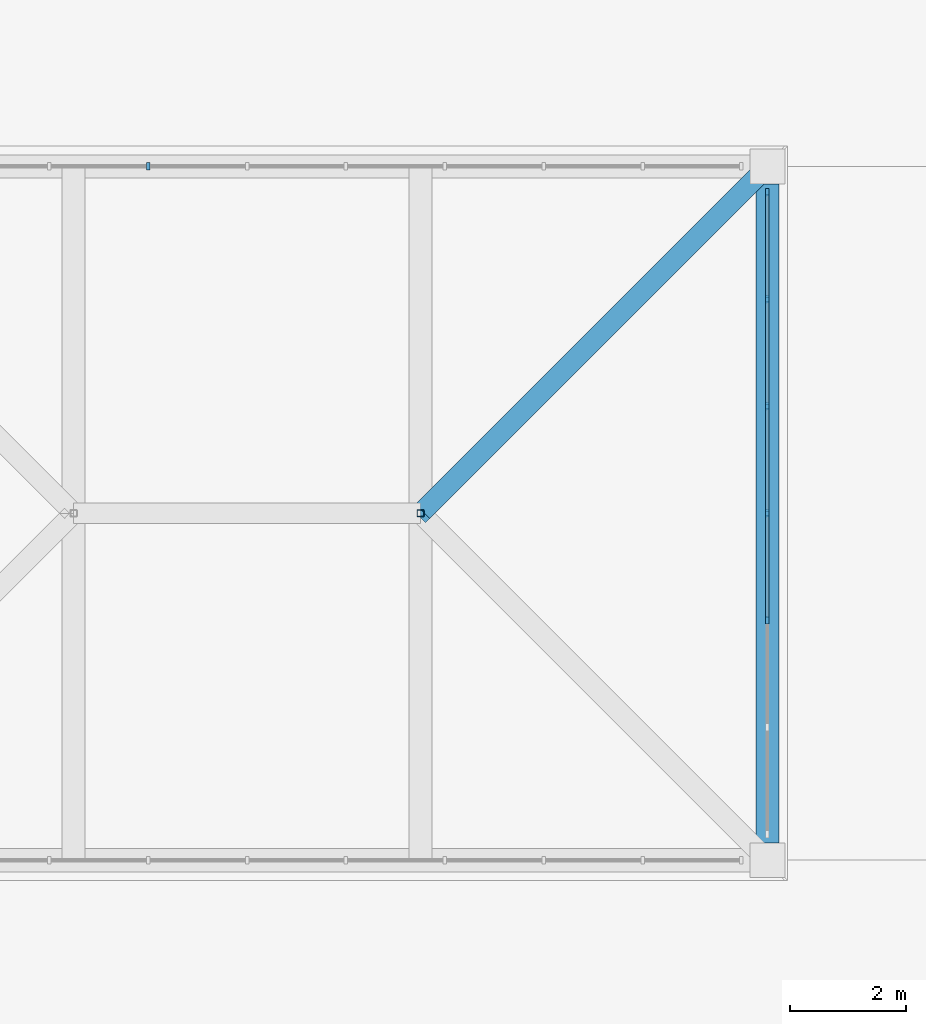
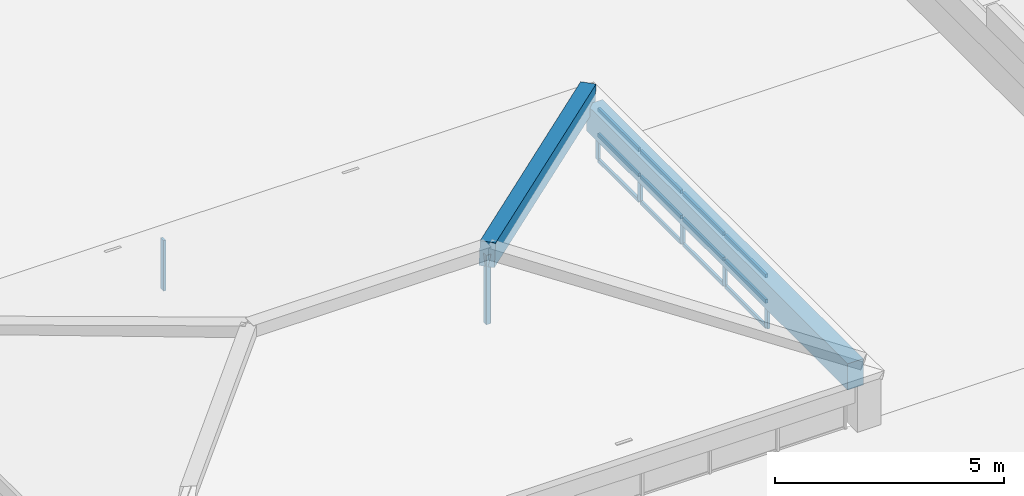
# One storey, part 38 of 56: 19 members, 2 beams, 2 elements without a shape of their own.
"""IFC4 building model written with IfcOpenShell, lengths in metres."""

import ifcopenshell
import ifcopenshell.guid

model = None  # the IFC model being written
_history = None  # IfcOwnerHistory: only IFC2X3 demands one
_inside = {}  # id of a spatial element -> (the spatial element, [elements in it])
_under = {}  # id of a project, library or spatial element -> (it, [spatial elements below it])
_declared = {}  # id of a project -> (the project, [libraries it declares])
_typed = {}  # id of a type object -> (the type object, [elements of that type])
_made_of = {}  # id of a material, layer set ... -> (it, [elements and type objects made of it])


def new_model(schema):
    """Start an empty IFC model of exactly this schema.

    Asked for "IFC4X3", IfcOpenShell would pick the latest addendum, in which some entities
    have other attributes; the version numbers below select the first issue.
    IFC2X3 requires an IfcOwnerHistory on every rooted entity: one is made here for all.
    """
    global model, _history
    if schema == "IFC4X3":
        model = ifcopenshell.file(schema_version=(4, 3, 0, 0))
    else:
        model = ifcopenshell.file(schema=schema)
    _inside.clear()
    _under.clear()
    _declared.clear()
    _typed.clear()
    _made_of.clear()
    _history = None
    if model.schema == "IFC2X3":
        org = make("IfcOrganization", Name="unknown")
        user = make(
            "IfcPersonAndOrganization",
            ThePerson=make("IfcPerson", FamilyName="unknown"),
            TheOrganization=org,
        )
        app = make(
            "IfcApplication",
            ApplicationDeveloper=org,
            Version="unknown",
            ApplicationFullName="unknown",
            ApplicationIdentifier="unknown",
        )
        _history = make(
            "IfcOwnerHistory",
            OwningUser=user,
            OwningApplication=app,
            ChangeAction="ADDED",
            CreationDate=0,
        )
    return model


def make(cls, **values):
    """One entity of the class cls with the attributes given. An attribute that is None is left unset."""
    return model.create_entity(
        cls, **{name: value for name, value in values.items() if value is not None}
    )


def rooted(cls, **values):
    """An entity with a GlobalId (a new one), such as an element, a storey or a relation."""
    return make(cls, GlobalId=ifcopenshell.guid.new(), OwnerHistory=_history, **values)


def si_unit(unit_type, name, prefix=None):
    """IfcSIUnit, for example si_unit("LENGTHUNIT", "METRE", prefix="MILLI")."""
    return make("IfcSIUnit", UnitType=unit_type, Prefix=prefix, Name=name)


def assignment(units):
    """IfcUnitAssignment: the units of a project."""
    return None if units is None else make("IfcUnitAssignment", Units=units)


def point(xyz):
    """IfcCartesianPoint."""
    return None if xyz is None else make("IfcCartesianPoint", Coordinates=xyz)


def direction(xyz):
    """IfcDirection."""
    return None if xyz is None else make("IfcDirection", DirectionRatios=xyz)


def frame(location, z_axis=None, x_axis=None):
    """IfcAxis2Placement3D, a coordinate frame: its origin and axes. An axis left out is left unset."""
    return make(
        "IfcAxis2Placement3D",
        Location=point(location),
        Axis=direction(z_axis),
        RefDirection=direction(x_axis),
    )


def frame_2d(location, x_axis=None):
    """IfcAxis2Placement2D, a coordinate frame in the plane: its origin and x axis."""
    return make(
        "IfcAxis2Placement2D", Location=point(location), RefDirection=direction(x_axis)
    )


def origin():
    """The frame at (0, 0, 0) with its axes left unset."""
    return frame((0.0, 0.0, 0.0))


def origin_2d():
    """The frame at (0, 0) in the plane with its x axis left unset."""
    return frame_2d((0.0, 0.0))


def place(relative_to, where):
    """IfcLocalPlacement: puts the frame where relative to a parent placement (None: the world)."""
    return make(
        "IfcLocalPlacement", PlacementRelTo=relative_to, RelativePlacement=where
    )


def context(
    kind, dimensions, precision=None, world=None, true_north=None, identifier=None
):
    """IfcGeometricRepresentationContext, for example the 3D "Model" context."""
    return make(
        "IfcGeometricRepresentationContext",
        ContextIdentifier=identifier,
        ContextType=kind,
        CoordinateSpaceDimension=dimensions,
        Precision=precision,
        WorldCoordinateSystem=world,
        TrueNorth=true_north,
    )


def subcontext(parent, identifier, kind, view, scale=None):
    """IfcGeometricRepresentationSubContext, for example "Body" below "Model"."""
    return make(
        "IfcGeometricRepresentationSubContext",
        ContextIdentifier=identifier,
        ContextType=kind,
        ParentContext=parent,
        TargetScale=scale,
        TargetView=view,
    )


def project(units=None, contexts=None):
    """IfcProject with its units and contexts."""
    return rooted(
        "IfcProject",
        Name="project",
        RepresentationContexts=contexts,
        UnitsInContext=assignment(units),
    )


def spatial(cls, under=None, at=None, **own):
    """A site, building, storey or space (cls), placed at a placement, below another one or the project."""
    s = rooted(cls, ObjectPlacement=at, **own)
    if under is not None:
        _under.setdefault(under.id(), (under, []))[1].append(s)
    return s


def profile(cls, at=None, kind="AREA", **sizes):
    """A parametric profile (cls). Its sizes go by their IFC names, for example OverallWidth=200.0."""
    return make(cls, ProfileType=kind, Position=at, **sizes)


def rectangle(**sizes):
    """IfcRectangleProfileDef."""
    return profile("IfcRectangleProfileDef", **sizes)


def hollow_rectangle(**sizes):
    """IfcRectangleHollowProfileDef."""
    return profile("IfcRectangleHollowProfileDef", **sizes)


def extrude(swept, where, along, depth):
    """IfcExtrudedAreaSolid: the profile swept, set in the frame where, extruded along a direction by depth."""
    return make(
        "IfcExtrudedAreaSolid",
        SweptArea=swept,
        Position=where,
        ExtrudedDirection=direction(along),
        Depth=depth,
    )


def shape(context_of_items, identifier, shape_type, items):
    """IfcShapeRepresentation: the items that make up one representation, for example the "Body"."""
    return make(
        "IfcShapeRepresentation",
        ContextOfItems=context_of_items,
        RepresentationIdentifier=identifier,
        RepresentationType=shape_type,
        Items=items,
    )


def material(Name=None, Category=None):
    """IfcMaterial."""
    return make("IfcMaterial", Name=Name, Category=Category)


def layer(
    of_material, thickness, ventilated=None, Name=None, Category=None, Priority=None
):
    """IfcMaterialLayer: one layer of a wall or slab, of a material (None: an air gap)."""
    return make(
        "IfcMaterialLayer",
        Material=of_material,
        LayerThickness=thickness,
        IsVentilated=ventilated,
        Name=Name,
        Category=Category,
        Priority=Priority,
    )


def layer_set(layers, Name=None):
    """IfcMaterialLayerSet."""
    return make("IfcMaterialLayerSet", MaterialLayers=layers, LayerSetName=Name)


def material_profile(
    of_material, cross_section, Name=None, Category=None, Priority=None
):
    """IfcMaterialProfile: a cross section and its material."""
    return make(
        "IfcMaterialProfile",
        Name=Name,
        Material=of_material,
        Profile=cross_section,
        Priority=Priority,
        Category=Category,
    )


def profile_set(profiles, Name=None, composite=None):
    """IfcMaterialProfileSet."""
    return make(
        "IfcMaterialProfileSet",
        Name=Name,
        MaterialProfiles=profiles,
        CompositeProfile=composite,
    )


def made_of(thing, what):
    """Note that an element or type object is made of a material, layer set ...; save() writes the relation."""
    if what is not None:
        _made_of.setdefault(what.id(), (what, []))[1].append(thing)
    return thing


def type_object(cls, material=None, **own):
    """A type object (cls), such as IfcWallType, which elements share."""
    return made_of(rooted(cls, **own), material)


def element(
    cls,
    number,
    at=None,
    inside=None,
    cuts=None,
    type_object=None,
    material=None,
    context=None,
    identifier="Body",
    shape_type=None,
    held_by="IfcProductDefinitionShape",
    body=None,
    shapes=None,
    **own,
):
    """One element of the class cls, such as IfcWall. Its Tag is "e" and its number.

    at: its placement. inside: the storey or other place that contains it. cuts: it is an
    opening in that element (IfcRelVoidsElement). A single representation is given by context,
    identifier, shape_type and body (its items); several are given by shapes. held_by: the class
    of the entity that holds the representations. save() writes the other relations.
    """
    e = rooted(cls, Tag="e%d" % number, ObjectPlacement=at, **own)
    if body is not None:
        shapes = [shape(context, identifier, shape_type, body)]
    if shapes is not None:
        e.Representation = make(held_by, Representations=shapes)
    if inside is not None:
        _inside.setdefault(inside.id(), (inside, []))[1].append(e)
    if cuts is not None:
        rooted(
            "IfcRelVoidsElement", RelatingBuildingElement=cuts, RelatedOpeningElement=e
        )
    if type_object is not None:
        _typed.setdefault(type_object.id(), (type_object, []))[1].append(e)
    return made_of(e, material)


def aggregate(whole, parts):
    """IfcRelAggregates: a whole, such as a stair, and the parts it consists of."""
    return rooted("IfcRelAggregates", RelatingObject=whole, RelatedObjects=parts)


def save(model, path):
    """Write the relations noted so far, then the file.

    IfcRelAggregates (storeys below a building ...), IfcRelContainedInSpatialStructure (elements
    in a storey), IfcRelDefinesByType, IfcRelAssociatesMaterial and IfcRelDeclares: one each for
    every whole, place, type object, material and project.
    """
    for whole, parts in _under.values():
        aggregate(whole, parts)
    for where, things in _inside.values():
        rooted(
            "IfcRelContainedInSpatialStructure",
            RelatedElements=things,
            RelatingStructure=where,
        )
    for kind, things in _typed.values():
        rooted("IfcRelDefinesByType", RelatedObjects=things, RelatingType=kind)
    for what, things in _made_of.values():
        rooted("IfcRelAssociatesMaterial", RelatedObjects=things, RelatingMaterial=what)
    for by, libraries in _declared.values():
        rooted("IfcRelDeclares", RelatingContext=by, RelatedDefinitions=libraries)
    model.write(path)


model = new_model("IFC4")

# Units and contexts
model_context = context("Model", 3, precision=1e-05, world=origin(), true_north=direction((0.0, 1.0)))
body_context = subcontext(model_context, "Body", "Model", "MODEL_VIEW")
ifc_project = project(units=[si_unit("LENGTHUNIT", "METRE"), si_unit("AREAUNIT", "SQUARE_METRE"), si_unit("VOLUMEUNIT", "CUBIC_METRE"), si_unit("PLANEANGLEUNIT", "RADIAN"), si_unit("MASSUNIT", "GRAM", prefix="KILO")], contexts=[model_context])

# Site, building, storey
site_placement = place(None, origin())
site = spatial("IfcSite", under=ifc_project, at=site_placement, CompositionType="ELEMENT")
building_placement = place(site_placement, origin())
building = spatial("IfcBuilding", under=site, at=building_placement, Name="Zacnel Wholesale Market", CompositionType="ELEMENT")
storey_placement = place(building_placement, frame((0.0, 0.0, 20.300048828125)))
storey = spatial("IfcBuildingStorey", under=building, at=storey_placement, Name="RF", CompositionType="ELEMENT", Elevation=20.300048828125)

# Beams
ifc_material_1 = material(Name="Concrete C40/50", Category="concrete")
ifc_material_profile_1 = material_profile(ifc_material_1, rectangle(XDim=0.35009765625, YDim=0.60009765625, at=origin_2d()), Name="ARCH RIB 350x600")
ifc_profile_set_1 = profile_set([ifc_material_profile_1], Name="Concrete C40/50")
beam_type_1 = type_object("IfcBeamType", Name="BM-AR600", PredefinedType="USERDEFINED", material=ifc_profile_set_1)
beam_1_placement = place(storey_placement, frame((171.0, 120.0, -2.469970703125), z_axis=(-0.696310623823, -0.696310623823, 0.174077655956), x_axis=(0.707106781187, -0.707106781187, 0.0)))
element("IfcBeam", 1, at=beam_1_placement, inside=storey, type_object=beam_type_1, Name="Hipped crown rib STR-ROOF-V1-XLANTERN-3", ObjectType="ARCH RIB", PredefinedType="USERDEFINED", context=body_context, shape_type="SweptSolid", body=[
    extrude(rectangle(XDim=0.35009765625, YDim=0.60009765625, at=origin_2d()), origin(), (0.0, 0.0, 1.0), 8.616943359375),
])
ifc_material_2 = material(Name="Precast concrete C45/55", Category="concrete")
ifc_material_profile_2 = material_profile(ifc_material_2, rectangle(XDim=0.39990234375, YDim=0.699951171875, at=origin_2d()), Name="PG 400x700")
ifc_profile_set_2 = profile_set([ifc_material_profile_2], Name="Precast concrete C45/55")
beam_type_2 = type_object("IfcBeamType", Name="BM-PG700", PredefinedType="BEAM", material=ifc_profile_set_2)
beam_2_placement = place(storey_placement, frame((171.0, 108.300048828125, -2.820068359375), z_axis=(0.0, 1.0, 0.0), x_axis=(-1.0, 0.0, 0.0)))
element("IfcBeam", 2, at=beam_2_placement, inside=storey, type_object=beam_type_2, Name="Crossing lantern ring beam 04", PredefinedType="BEAM", context=body_context, shape_type="SweptSolid", body=[
    extrude(rectangle(XDim=0.39990234375, YDim=0.699951171875, at=origin_2d()), origin(), (0.0, 0.0, 1.0), 11.39990234375),
])

# Curtain wall, member
ifc_material_3 = material(Name="Anodised aluminium", Category="aluminium")
ifc_layer = layer(ifc_material_3, 0.14990234375)
ifc_layer_set = layer_set([ifc_layer], Name="Anodised aluminium")
curtain_wall_type = type_object("IfcCurtainWallType", Name="CW-CLER-3600", PredefinedType="NOTDEFINED", material=ifc_layer_set)
curtain_wall_1_placement = place(storey_placement, origin())
curtain_wall_1 = element("IfcCurtainWall", 3, at=curtain_wall_1_placement, inside=storey, type_object=curtain_wall_type, Name="Curtain wall ENV-CW-XLAN-N", PredefinedType="NOTDEFINED")
ifc_material_4 = material(Name="Anodised aluminium", Category="aluminium")
ifc_material_profile_3 = material_profile(ifc_material_4, rectangle(XDim=0.06005859375, YDim=0.1298828125, at=origin_2d()), Name="AW-MULLION 60x130")
ifc_profile_set_3 = profile_set([ifc_material_profile_3], Name="Anodised aluminium")
member_type_1 = type_object("IfcMemberType", Name="CWM-MUL-06", PredefinedType="MULLION", material=ifc_profile_set_3)
member_1_placement = place(storey_placement, frame((160.2900390625, 120.0, -3.900146484375), z_axis=(0.0, 0.0, 1.0), x_axis=(1.0, 0.0, 0.0)))
member_1 = element("IfcMember", 4, at=member_1_placement, type_object=member_type_1, Name="ENV-CW-XLAN-N mullion 05", PredefinedType="MULLION", context=body_context, shape_type="SweptSolid", body=[
    extrude(rectangle(XDim=0.06005859375, YDim=0.1298828125, at=origin_2d()), origin(), (0.0, 0.0, 1.0), 1.35009765625),
])
aggregate(curtain_wall_1, [member_1])

# Curtain wall, members
curtain_wall_2_placement = place(storey_placement, origin())
curtain_wall_2 = element("IfcCurtainWall", 5, at=curtain_wall_2_placement, inside=storey, type_object=curtain_wall_type, Name="Curtain wall ENV-CW-XLAN-E", PredefinedType="NOTDEFINED")
member_2_placement = place(storey_placement, frame((171.0, 112.14990234375, -3.900146484375), z_axis=(0.0, 0.0, 1.0), x_axis=(1.0, 0.0, 0.0)))
member_2 = element("IfcMember", 6, at=member_2_placement, type_object=member_type_1, Name="ENV-CW-XLAN-E mullion 03", PredefinedType="MULLION", context=body_context, shape_type="SweptSolid", body=[
    extrude(rectangle(XDim=0.06005859375, YDim=0.1298828125, at=origin_2d()), origin(), (0.0, 0.0, 1.0), 1.35009765625),
])
member_3_placement = place(storey_placement, frame((171.0, 114.0, -3.900146484375), z_axis=(0.0, 0.0, 1.0), x_axis=(1.0, 0.0, 0.0)))
member_3 = element("IfcMember", 7, at=member_3_placement, type_object=member_type_1, Name="ENV-CW-XLAN-E mullion 04", PredefinedType="MULLION", context=body_context, shape_type="SweptSolid", body=[
    extrude(rectangle(XDim=0.06005859375, YDim=0.1298828125, at=origin_2d()), origin(), (0.0, 0.0, 1.0), 1.35009765625),
])
member_4_placement = place(storey_placement, frame((171.0, 115.85009765625, -3.900146484375), z_axis=(0.0, 0.0, 1.0), x_axis=(1.0, 0.0, 0.0)))
member_4 = element("IfcMember", 8, at=member_4_placement, type_object=member_type_1, Name="ENV-CW-XLAN-E mullion 05", PredefinedType="MULLION", context=body_context, shape_type="SweptSolid", body=[
    extrude(rectangle(XDim=0.06005859375, YDim=0.1298828125, at=origin_2d()), origin(), (0.0, 0.0, 1.0), 1.35009765625),
])
member_5_placement = place(storey_placement, frame((171.0, 117.699951171875, -3.900146484375), z_axis=(0.0, 0.0, 1.0), x_axis=(1.0, 0.0, 0.0)))
member_5 = element("IfcMember", 9, at=member_5_placement, type_object=member_type_1, Name="ENV-CW-XLAN-E mullion 06", PredefinedType="MULLION", context=body_context, shape_type="SweptSolid", body=[
    extrude(rectangle(XDim=0.06005859375, YDim=0.1298828125, at=origin_2d()), origin(), (0.0, 0.0, 1.0), 1.35009765625),
])
member_6_placement = place(storey_placement, frame((171.0, 119.550048828125, -3.900146484375), z_axis=(0.0, 0.0, 1.0), x_axis=(1.0, 0.0, 0.0)))
member_6 = element("IfcMember", 10, at=member_6_placement, type_object=member_type_1, Name="ENV-CW-XLAN-E mullion 07", PredefinedType="MULLION", context=body_context, shape_type="SweptSolid", body=[
    extrude(rectangle(XDim=0.06005859375, YDim=0.1298828125, at=origin_2d()), origin(), (0.0, 0.0, 1.0), 1.35009765625),
])
ifc_material_5 = material(Name="Anodised aluminium", Category="aluminium")
ifc_material_profile_4 = material_profile(ifc_material_5, rectangle(XDim=0.06005859375, YDim=0.10009765625, at=origin_2d()), Name="AW-TRANSOM 60x100")
ifc_profile_set_4 = profile_set([ifc_material_profile_4], Name="Anodised aluminium")
member_type_2 = type_object("IfcMemberType", Name="CWM-TRN-06", PredefinedType="USERDEFINED", material=ifc_profile_set_4)
member_7_placement = place(storey_placement, frame((171.0, 112.18505859375, -3.900146484375), z_axis=(0.0, 1.0, 0.0), x_axis=(-1.0, 0.0, 0.0)))
member_7 = element("IfcMember", 11, at=member_7_placement, type_object=member_type_2, Name="ENV-CW-XLAN-E transom 3-1", ObjectType="TRANSOM", PredefinedType="USERDEFINED", context=body_context, shape_type="SweptSolid", body=[
    extrude(rectangle(XDim=0.06005859375, YDim=0.10009765625, at=origin_2d()), origin(), (0.0, 0.0, 1.0), 1.780029296875),
])
member_8_placement = place(storey_placement, frame((171.0, 112.18505859375, -3.22509765625), z_axis=(0.0, 1.0, 0.0), x_axis=(-1.0, 0.0, 0.0)))
member_8 = element("IfcMember", 12, at=member_8_placement, type_object=member_type_2, Name="ENV-CW-XLAN-E transom 3-2", ObjectType="TRANSOM", PredefinedType="USERDEFINED", context=body_context, shape_type="SweptSolid", body=[
    extrude(rectangle(XDim=0.06005859375, YDim=0.10009765625, at=origin_2d()), origin(), (0.0, 0.0, 1.0), 1.780029296875),
])
member_9_placement = place(storey_placement, frame((171.0, 112.18505859375, -2.550048828125), z_axis=(0.0, 1.0, 0.0), x_axis=(-1.0, 0.0, 0.0)))
member_9 = element("IfcMember", 13, at=member_9_placement, type_object=member_type_2, Name="ENV-CW-XLAN-E transom 3-3", ObjectType="TRANSOM", PredefinedType="USERDEFINED", context=body_context, shape_type="SweptSolid", body=[
    extrude(rectangle(XDim=0.06005859375, YDim=0.10009765625, at=origin_2d()), origin(), (0.0, 0.0, 1.0), 1.780029296875),
])
member_10_placement = place(storey_placement, frame((171.0, 114.034912109375, -3.900146484375), z_axis=(0.0, 1.0, 0.0), x_axis=(-1.0, 0.0, 0.0)))
member_10 = element("IfcMember", 14, at=member_10_placement, type_object=member_type_2, Name="ENV-CW-XLAN-E transom 4-1", ObjectType="TRANSOM", PredefinedType="USERDEFINED", context=body_context, shape_type="SweptSolid", body=[
    extrude(rectangle(XDim=0.06005859375, YDim=0.10009765625, at=origin_2d()), origin(), (0.0, 0.0, 1.0), 1.780029296875),
])
member_11_placement = place(storey_placement, frame((171.0, 114.034912109375, -3.22509765625), z_axis=(0.0, 1.0, 0.0), x_axis=(-1.0, 0.0, 0.0)))
member_11 = element("IfcMember", 15, at=member_11_placement, type_object=member_type_2, Name="ENV-CW-XLAN-E transom 4-2", ObjectType="TRANSOM", PredefinedType="USERDEFINED", context=body_context, shape_type="SweptSolid", body=[
    extrude(rectangle(XDim=0.06005859375, YDim=0.10009765625, at=origin_2d()), origin(), (0.0, 0.0, 1.0), 1.780029296875),
])
member_12_placement = place(storey_placement, frame((171.0, 114.034912109375, -2.550048828125), z_axis=(0.0, 1.0, 0.0), x_axis=(-1.0, 0.0, 0.0)))
member_12 = element("IfcMember", 16, at=member_12_placement, type_object=member_type_2, Name="ENV-CW-XLAN-E transom 4-3", ObjectType="TRANSOM", PredefinedType="USERDEFINED", context=body_context, shape_type="SweptSolid", body=[
    extrude(rectangle(XDim=0.06005859375, YDim=0.10009765625, at=origin_2d()), origin(), (0.0, 0.0, 1.0), 1.780029296875),
])
member_13_placement = place(storey_placement, frame((171.0, 115.885009765625, -3.900146484375), z_axis=(0.0, 1.0, 0.0), x_axis=(-1.0, 0.0, 0.0)))
member_13 = element("IfcMember", 17, at=member_13_placement, type_object=member_type_2, Name="ENV-CW-XLAN-E transom 5-1", ObjectType="TRANSOM", PredefinedType="USERDEFINED", context=body_context, shape_type="SweptSolid", body=[
    extrude(rectangle(XDim=0.06005859375, YDim=0.10009765625, at=origin_2d()), origin(), (0.0, 0.0, 1.0), 1.780029296875),
])
member_14_placement = place(storey_placement, frame((171.0, 115.885009765625, -3.22509765625), z_axis=(0.0, 1.0, 0.0), x_axis=(-1.0, 0.0, 0.0)))
member_14 = element("IfcMember", 18, at=member_14_placement, type_object=member_type_2, Name="ENV-CW-XLAN-E transom 5-2", ObjectType="TRANSOM", PredefinedType="USERDEFINED", context=body_context, shape_type="SweptSolid", body=[
    extrude(rectangle(XDim=0.06005859375, YDim=0.10009765625, at=origin_2d()), origin(), (0.0, 0.0, 1.0), 1.780029296875),
])
member_15_placement = place(storey_placement, frame((171.0, 115.885009765625, -2.550048828125), z_axis=(0.0, 1.0, 0.0), x_axis=(-1.0, 0.0, 0.0)))
member_15 = element("IfcMember", 19, at=member_15_placement, type_object=member_type_2, Name="ENV-CW-XLAN-E transom 5-3", ObjectType="TRANSOM", PredefinedType="USERDEFINED", context=body_context, shape_type="SweptSolid", body=[
    extrude(rectangle(XDim=0.06005859375, YDim=0.10009765625, at=origin_2d()), origin(), (0.0, 0.0, 1.0), 1.780029296875),
])
member_16_placement = place(storey_placement, frame((171.0, 117.735107421875, -3.900146484375), z_axis=(0.0, 1.0, 0.0), x_axis=(-1.0, 0.0, 0.0)))
member_16 = element("IfcMember", 20, at=member_16_placement, type_object=member_type_2, Name="ENV-CW-XLAN-E transom 6-1", ObjectType="TRANSOM", PredefinedType="USERDEFINED", context=body_context, shape_type="SweptSolid", body=[
    extrude(rectangle(XDim=0.06005859375, YDim=0.10009765625, at=origin_2d()), origin(), (0.0, 0.0, 1.0), 1.77978515625),
])
member_17_placement = place(storey_placement, frame((171.0, 117.735107421875, -3.22509765625), z_axis=(0.0, 1.0, 0.0), x_axis=(-1.0, 0.0, 0.0)))
member_17 = element("IfcMember", 21, at=member_17_placement, type_object=member_type_2, Name="ENV-CW-XLAN-E transom 6-2", ObjectType="TRANSOM", PredefinedType="USERDEFINED", context=body_context, shape_type="SweptSolid", body=[
    extrude(rectangle(XDim=0.06005859375, YDim=0.10009765625, at=origin_2d()), origin(), (0.0, 0.0, 1.0), 1.77978515625),
])
member_18_placement = place(storey_placement, frame((171.0, 117.735107421875, -2.550048828125), z_axis=(0.0, 1.0, 0.0), x_axis=(-1.0, 0.0, 0.0)))
member_18 = element("IfcMember", 22, at=member_18_placement, type_object=member_type_2, Name="ENV-CW-XLAN-E transom 6-3", ObjectType="TRANSOM", PredefinedType="USERDEFINED", context=body_context, shape_type="SweptSolid", body=[
    extrude(rectangle(XDim=0.06005859375, YDim=0.10009765625, at=origin_2d()), origin(), (0.0, 0.0, 1.0), 1.77978515625),
])
aggregate(curtain_wall_2, [member_2, member_3, member_4, member_5, member_6, member_7, member_8, member_9, member_10, member_11, member_12, member_13, member_14, member_15, member_16, member_17, member_18])

# Member
ifc_material_6 = material(Name="Steel S355", Category="steel")
ifc_material_profile_5 = material_profile(ifc_material_6, hollow_rectangle(XDim=0.1201171875, YDim=0.1201171875, WallThickness=0.00634765625, InnerFilletRadius=0.006103515625, OuterFilletRadius=0.011962890625, at=origin_2d()), Name="HSS 120x120x6.3")
ifc_profile_set_5 = profile_set([ifc_material_profile_5], Name="Steel S355")
member_type_3 = type_object("IfcMemberType", Name="MEM-PST-HSS120", PredefinedType="POST", material=ifc_profile_set_5)
member_19_placement = place(storey_placement, frame((165.0, 114.0, -2.800048828125), z_axis=(0.0, 0.0, 1.0), x_axis=(1.0, 0.0, 0.0)))
element("IfcMember", 23, at=member_19_placement, inside=storey, type_object=member_type_3, Name="Hipped crown king-post STR-ROOF-V1-XLANTERN-2", PredefinedType="POST", context=body_context, shape_type="SweptSolid", body=[
    extrude(hollow_rectangle(XDim=0.1201171875, YDim=0.1201171875, WallThickness=0.00634765625, InnerFilletRadius=0.006103515625, OuterFilletRadius=0.011962890625, at=origin_2d()), origin(), (0.0, 0.0, 1.0), 1.85009765625),
])

save(model, "model.ifc")
